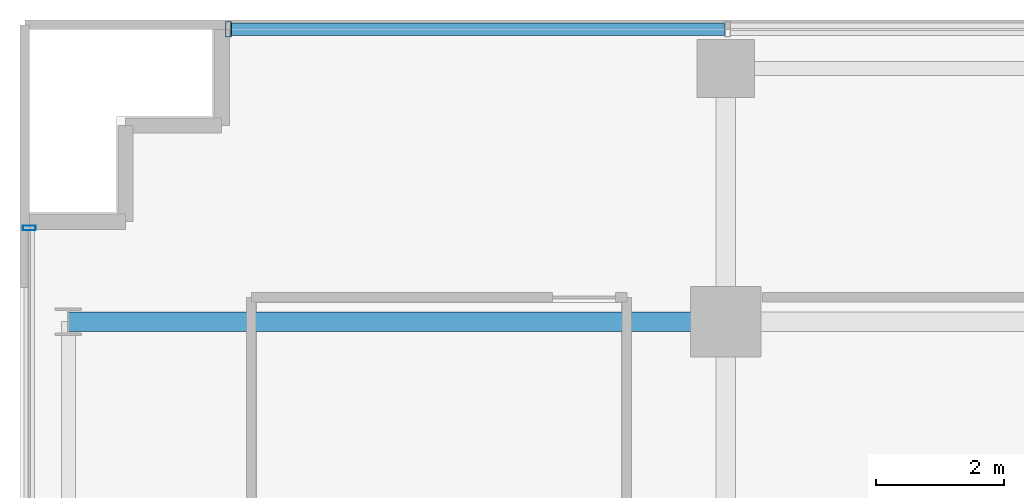
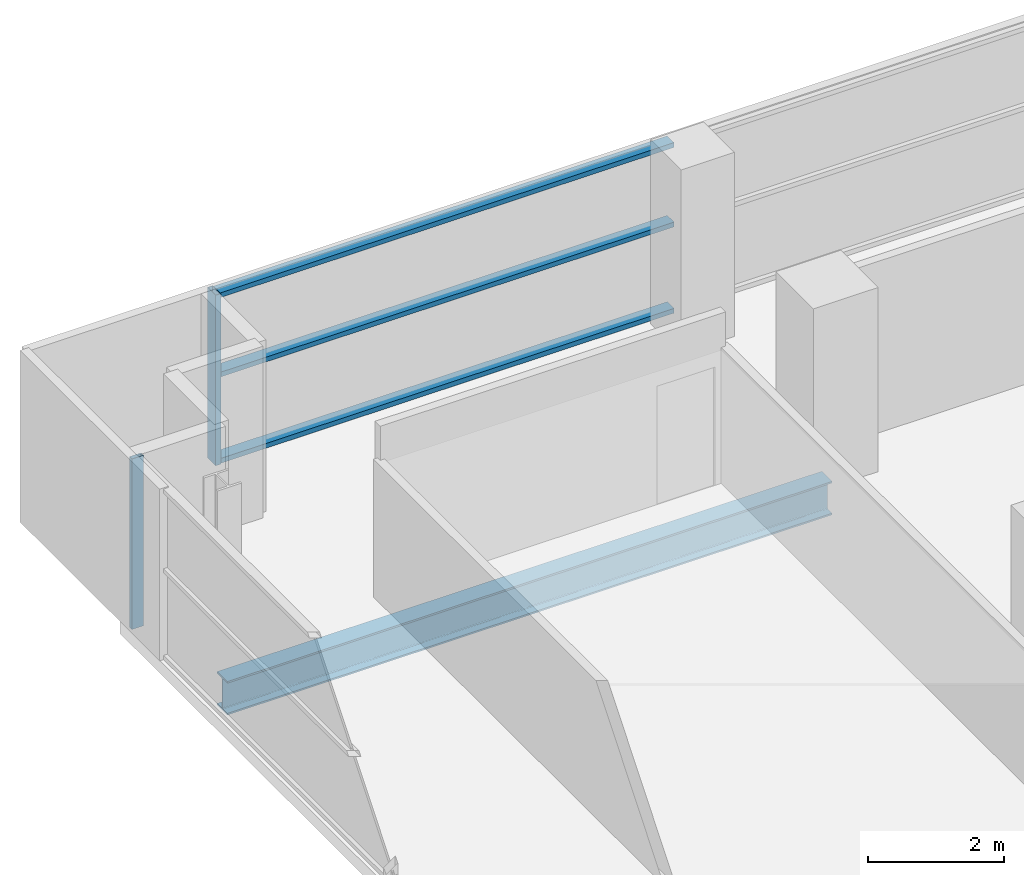
# One storey, part 16 of 30: 5 members, 1 beam, 2 elements without a shape of their own.
"""IFC4 building model written with IfcOpenShell, lengths in metres."""

from ifc_helpers import new_model, si_unit, direction, frame, origin, origin_2d, place, context, subcontext, project, spatial, hollow_rectangle, i_section, extrude, source, transform, mapped, material, layer, layer_set, material_profile, profile_set, type_object, element, aggregate, save


model = new_model("IFC4")

# Units and contexts
model_context = context("Model", 3, precision=1e-05, world=origin(), true_north=direction((0.0, 1.0)))
body_context = subcontext(model_context, "Body", "Model", "MODEL_VIEW")
ifc_project = project(units=[si_unit("LENGTHUNIT", "METRE"), si_unit("AREAUNIT", "SQUARE_METRE"), si_unit("VOLUMEUNIT", "CUBIC_METRE"), si_unit("PLANEANGLEUNIT", "RADIAN"), si_unit("MASSUNIT", "GRAM", prefix="KILO")], contexts=[model_context])

# Site, building, storey
site_placement = place(None, origin())
site = spatial("IfcSite", under=ifc_project, at=site_placement, CompositionType="ELEMENT")
building_placement = place(site_placement, origin())
building = spatial("IfcBuilding", under=site, at=building_placement, Name="Zarnakvel Exchange Tower", CompositionType="ELEMENT")
storey_placement = place(building_placement, frame((0.0, 0.0, 43.89990234375)))
storey = spatial("IfcBuildingStorey", under=building, at=storey_placement, Name="L11", CompositionType="ELEMENT", Elevation=43.89990234375)

# Beam
ifc_material_1 = material(Name="Steel S355", Category="steel")
ifc_material_profile_1 = material_profile(ifc_material_1, i_section(OverallWidth=0.300048828125, OverallDepth=0.60009765625, WebThickness=0.015380859375, FlangeThickness=0.030029296875, FilletRadius=0.027099609375, at=origin_2d()))
ifc_profile_set_1 = profile_set([ifc_material_profile_1], Name="Steel S355")
beam_type = type_object("IfcBeamType", Name="G-04", PredefinedType="BEAM", material=ifc_profile_set_1)
beam_placement = place(storey_placement, frame((-31.85009765625, 13.5, -0.52490234375), z_axis=(1.0, 0.0, 0.0), x_axis=(0.0, 1.0, 0.0)))
element("IfcBeam", 1, at=beam_placement, inside=storey, type_object=beam_type, Name="L11 Tower E-W Frame Beam", PredefinedType="BEAM", context=body_context, shape_type="SweptSolid", body=[
    extrude(i_section(OverallWidth=0.300048828125, OverallDepth=0.60009765625, WebThickness=0.015380859375, FlangeThickness=0.030029296875, FilletRadius=0.027099609375, at=origin_2d()), origin(), (0.0, 0.0, 1.0), 10.25),
])

# Curtain wall, members
ifc_material_2 = material(Name="Architectural Bronze Anodised Aluminium", Category="aluminium")
ifc_layer_1 = layer(ifc_material_2, 0.239990234375)
ifc_layer_set_1 = layer_set([ifc_layer_1], Name="Architectural Bronze Anodised Aluminium")
curtain_wall_type_1 = type_object("IfcCurtainWallType", Name="CW-02", PredefinedType="NOTDEFINED", material=ifc_layer_set_1)
curtain_wall_1_placement = place(storey_placement, origin())
curtain_wall_1 = element("IfcCurtainWall", 2, at=curtain_wall_1_placement, inside=storey, type_object=curtain_wall_type_1, Name="L11 Curtain Wall CW-L11-N1 (CW-02)", PredefinedType="NOTDEFINED")
ifc_material_profile_2 = material_profile(ifc_material_2, hollow_rectangle(XDim=0.239990234375, YDim=0.090087890625, WallThickness=0.006103515625, at=origin_2d()))
ifc_profile_set_2 = profile_set([ifc_material_profile_2], Name="Architectural Bronze Anodised Aluminium")
member_type_1 = type_object("IfcMemberType", Name="CWM-02", PredefinedType="MULLION", material=ifc_profile_set_2)
shared_shape_1 = source(origin(), body_context, "Body", "SweptSolid", [
    extrude(hollow_rectangle(XDim=0.239990234375, YDim=0.090087890625, WallThickness=0.006103515625, at=origin_2d()), origin(), (0.0, 0.0, 1.0), 3.05517578125),
])
member_1_placement = place(storey_placement, frame((-29.35498046875, 18.06005859375, 0.0), z_axis=(0.0, 0.0, 1.0), x_axis=(0.0, 1.0, 0.0)))
member_1 = element("IfcMember", 3, at=member_1_placement, type_object=member_type_1, Name="CW-02 mullion 1", PredefinedType="MULLION", context=body_context, shape_type="MappedRepresentation", body=[
    mapped(shared_shape_1, transform((0.0, 0.0, 0.0), x_axis=(1.0, 0.0, 0.0), y_axis=(0.0, 1.0, 0.0), z_axis=(0.0, 0.0, 1.0), scale=1.0)),
])
ifc_material_profile_3 = material_profile(ifc_material_2, hollow_rectangle(XDim=0.199951171875, YDim=0.0849609375, WallThickness=0.0048828125, at=origin_2d()))
ifc_profile_set_3 = profile_set([ifc_material_profile_3], Name="Architectural Bronze Anodised Aluminium")
member_type_2 = type_object("IfcMemberType", Name="CWT-02", PredefinedType="USERDEFINED", material=ifc_profile_set_3)
shared_shape_2 = source(origin(), body_context, "Body", "SweptSolid", [
    extrude(hollow_rectangle(XDim=0.199951171875, YDim=0.0849609375, WallThickness=0.0048828125, at=origin_2d()), origin(), (0.0, 0.0, 1.0), 7.693603515625),
])
member_2_placement = place(storey_placement, frame((-29.31005859375, 18.06005859375, 0.04248046875), z_axis=(1.0, 0.0, 0.0), x_axis=(0.0, 1.0, 0.0)))
member_2 = element("IfcMember", 4, at=member_2_placement, type_object=member_type_2, Name="CW-02 transom 1.1", ObjectType="TRANSOM", PredefinedType="USERDEFINED", context=body_context, shape_type="MappedRepresentation", body=[
    mapped(shared_shape_2, transform((0.0, 0.0, 0.0), x_axis=(1.0, 0.0, 0.0), y_axis=(0.0, 1.0, 0.0), z_axis=(0.0, 0.0, 1.0), scale=1.0)),
])
member_3_placement = place(storey_placement, frame((-29.31005859375, 18.06005859375, 1.588623046875), z_axis=(1.0, 0.0, 0.0), x_axis=(0.0, 1.0, 0.0)))
member_3 = element("IfcMember", 5, at=member_3_placement, type_object=member_type_2, Name="CW-02 transom 1.2", ObjectType="TRANSOM", PredefinedType="USERDEFINED", context=body_context, shape_type="MappedRepresentation", body=[
    mapped(shared_shape_2, transform((0.0, 0.0, 0.0), x_axis=(1.0, 0.0, 0.0), y_axis=(0.0, 1.0, 0.0), z_axis=(0.0, 0.0, 1.0), scale=1.0)),
])
member_4_placement = place(storey_placement, frame((-29.31005859375, 18.06005859375, 3.0126953125), z_axis=(1.0, 0.0, 0.0), x_axis=(0.0, 1.0, 0.0)))
member_4 = element("IfcMember", 6, at=member_4_placement, type_object=member_type_2, Name="CW-02 transom 1.3", ObjectType="TRANSOM", PredefinedType="USERDEFINED", context=body_context, shape_type="MappedRepresentation", body=[
    mapped(shared_shape_2, transform((0.0, 0.0, 0.0), x_axis=(1.0, 0.0, 0.0), y_axis=(0.0, 1.0, 0.0), z_axis=(0.0, 0.0, 1.0), scale=1.0)),
])
aggregate(curtain_wall_1, [member_1, member_2, member_3, member_4])

# Curtain wall, member
ifc_layer_2 = layer(ifc_material_2, 0.199951171875)
ifc_layer_set_2 = layer_set([ifc_layer_2], Name="Architectural Bronze Anodised Aluminium")
curtain_wall_type_2 = type_object("IfcCurtainWallType", Name="CW-04", PredefinedType="NOTDEFINED", material=ifc_layer_set_2)
curtain_wall_2_placement = place(storey_placement, origin())
curtain_wall_2 = element("IfcCurtainWall", 7, at=curtain_wall_2_placement, inside=storey, type_object=curtain_wall_type_2, Name="L11 Curtain Wall CW-L11-W1 (CW-04)", PredefinedType="NOTDEFINED")
ifc_material_profile_4 = material_profile(ifc_material_2, hollow_rectangle(XDim=0.199951171875, YDim=0.074951171875, WallThickness=0.0048828125, at=origin_2d()))
ifc_profile_set_4 = profile_set([ifc_material_profile_4], Name="Architectural Bronze Anodised Aluminium")
member_type_3 = type_object("IfcMemberType", Name="CWM-04", PredefinedType="MULLION", material=ifc_profile_set_4)
shared_shape_3 = source(origin(), body_context, "Body", "SweptSolid", [
    extrude(hollow_rectangle(XDim=0.199951171875, YDim=0.074951171875, WallThickness=0.0048828125, at=origin_2d()), origin(), (0.0, 0.0, 1.0), 3.05517578125),
])
member_5_placement = place(storey_placement, frame((-32.4599609375, 14.96240234375, 0.0), z_axis=(0.0, 0.0, 1.0), x_axis=(-1.0, 0.0, 0.0)))
member_5 = element("IfcMember", 8, at=member_5_placement, type_object=member_type_3, Name="CW-04 mullion 5", PredefinedType="MULLION", context=body_context, shape_type="MappedRepresentation", body=[
    mapped(shared_shape_3, transform((0.0, 0.0, 0.0), x_axis=(1.0, 0.0, 0.0), y_axis=(0.0, 1.0, 0.0), z_axis=(0.0, 0.0, 1.0), scale=1.0)),
])
aggregate(curtain_wall_2, [member_5])

save(model, "model.ifc")
